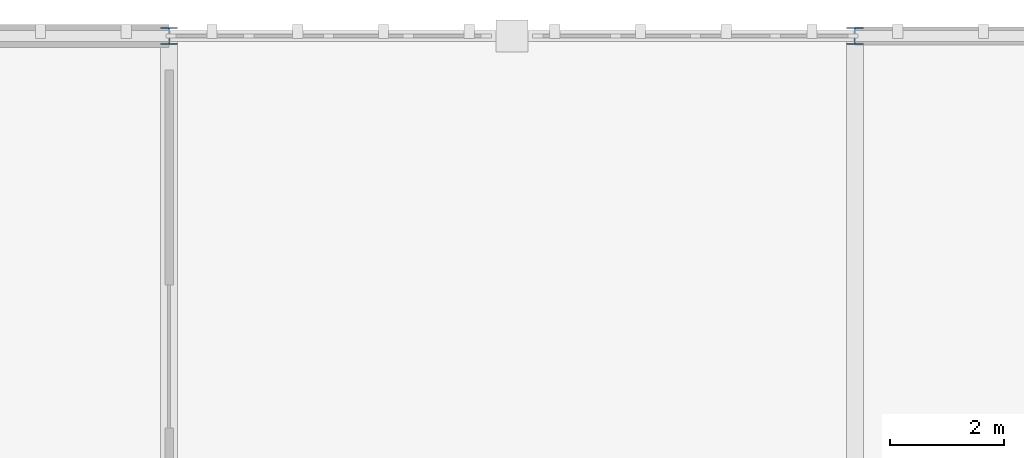
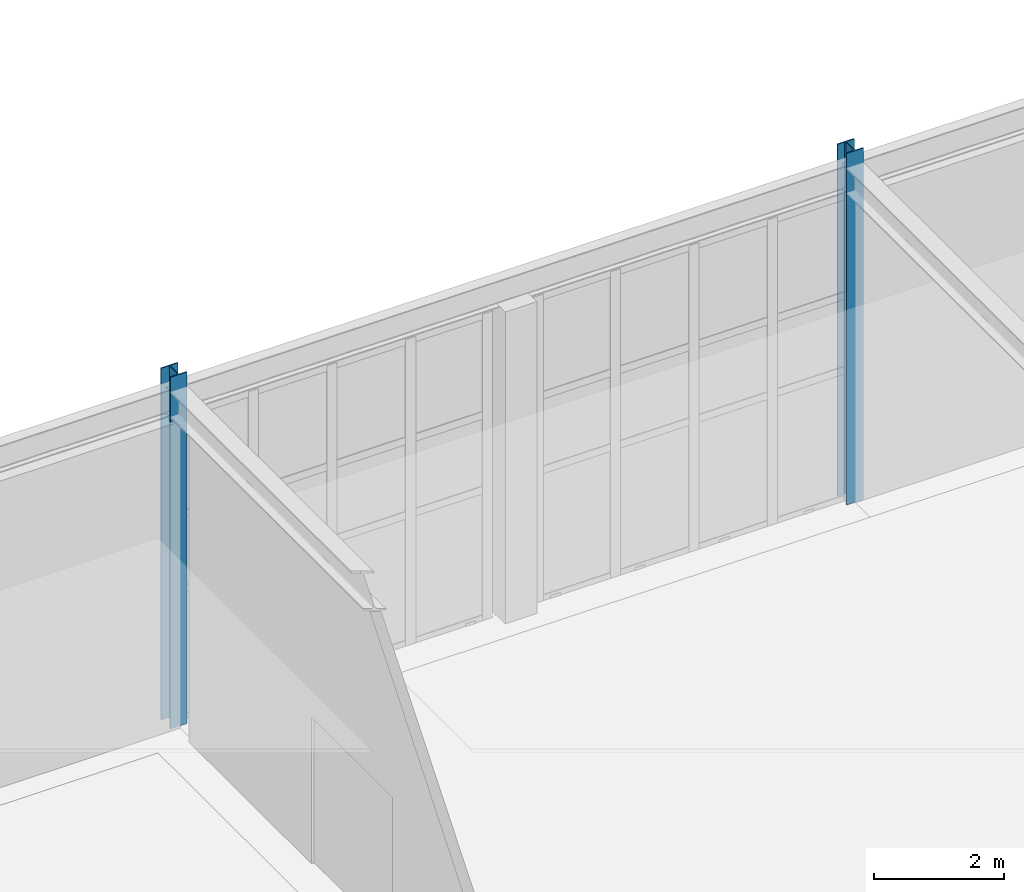
# One storey, part 7 of 62: 2 columns.
"""IFC4 building model written with IfcOpenShell, lengths in metres."""

from ifc_helpers import new_model, si_unit, direction, frame, origin, origin_2d, place, context, subcontext, project, spatial, i_section, extrude, material, material_profile, profile_set, type_object, element, save


model = new_model("IFC4")

# Units and contexts
model_context = context("Model", 3, precision=1e-05, world=origin(), true_north=direction((0.0, 1.0)))
body_context = subcontext(model_context, "Body", "Model", "MODEL_VIEW")
ifc_project = project(units=[si_unit("LENGTHUNIT", "METRE"), si_unit("AREAUNIT", "SQUARE_METRE"), si_unit("VOLUMEUNIT", "CUBIC_METRE"), si_unit("PLANEANGLEUNIT", "RADIAN"), si_unit("MASSUNIT", "GRAM", prefix="KILO")], contexts=[model_context])

# Site, building, storey
site_placement = place(None, origin())
site = spatial("IfcSite", under=ifc_project, at=site_placement, CompositionType="ELEMENT")
building_placement = place(site_placement, origin())
building = spatial("IfcBuilding", under=site, at=building_placement, Name="Zlatogorsky Bluff Art Gallery", CompositionType="ELEMENT")
storey_placement = place(building_placement, frame((0.0, 0.0, 16.800048828125)))
storey = spatial("IfcBuildingStorey", under=building, at=storey_placement, Name="L03", CompositionType="ELEMENT", Elevation=16.800048828125)

# Columns
ifc_material = material(Name="Steel S355", Category="steel")
ifc_material_profile = material_profile(ifc_material, i_section(OverallWidth=0.300048828125, OverallDepth=0.300048828125, WebThickness=0.010986328125, FlangeThickness=0.01904296875, FilletRadius=0.027099609375, at=origin_2d()), Name="HEB 300")
ifc_profile_set = profile_set([ifc_material_profile], Name="Steel S355")
column_type = type_object("IfcColumnType", Name="Column CL-06 HEB 300", PredefinedType="COLUMN", material=ifc_profile_set)
for number, where, z_axis, x_axis, name in (
    (1, (96.0, 120.0, 0.0), (0.0, 0.0, 1.0), (1.0, 0.0, 0.0), "Column CL-06 L03 J12"),
    (2, (108.0, 120.0, 0.0), (0.0, 0.0, 1.0), (1.0, 0.0, 0.0), "Column CL-06 L03 K12"),
):
    element("IfcColumn", number, at=place(storey_placement, frame(where, z_axis=z_axis, x_axis=x_axis)), inside=storey, type_object=column_type, Name=name, PredefinedType="COLUMN", context=body_context, shape_type="SweptSolid", body=[
        extrude(i_section(OverallWidth=0.300048828125, OverallDepth=0.300048828125, WebThickness=0.010986328125, FlangeThickness=0.01904296875, FilletRadius=0.027099609375, at=origin_2d()), origin(), (0.0, 0.0, 1.0), 6.599853515625),
    ])

save(model, "model.ifc")
